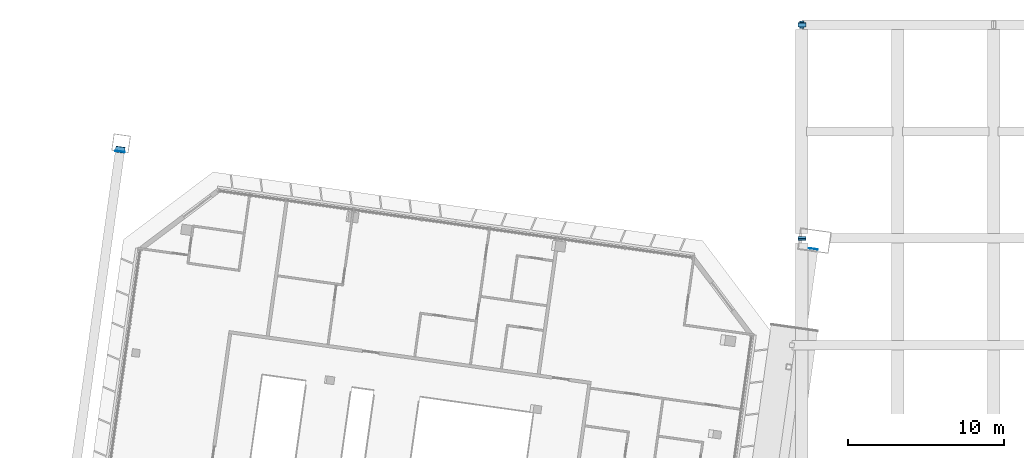
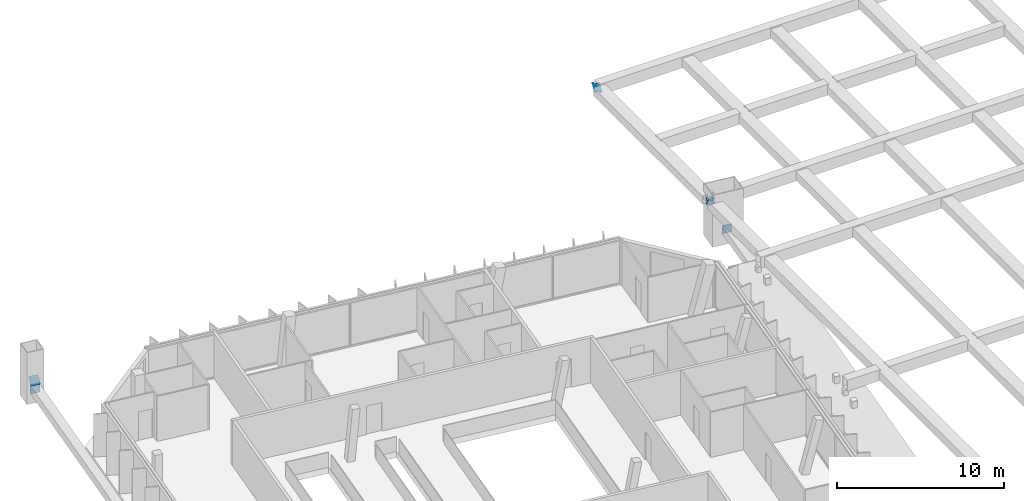
# One storey, part 30 of 36: 7 discrete accessories.
"""IFC4 building model written with IfcOpenShell, lengths in metres."""

from ifc_helpers import new_model, si_unit, direction, frame, origin, origin_2d, place, context, subcontext, project, spatial, rectangle, extrude, material, material_profile, profile_set, type_object, element, save


model = new_model("IFC4")

# Units and contexts
model_context = context("Model", 3, precision=1e-05, world=origin(), true_north=direction((0.0, 1.0)))
body_context = subcontext(model_context, "Body", "Model", "MODEL_VIEW")
ifc_project = project(units=[si_unit("LENGTHUNIT", "METRE"), si_unit("AREAUNIT", "SQUARE_METRE"), si_unit("VOLUMEUNIT", "CUBIC_METRE"), si_unit("PLANEANGLEUNIT", "RADIAN"), si_unit("MASSUNIT", "GRAM", prefix="KILO")], contexts=[model_context])

# Site, building, storey
site_placement = place(None, origin())
site = spatial("IfcSite", under=ifc_project, at=site_placement, CompositionType="ELEMENT")
building_placement = place(site_placement, origin())
building = spatial("IfcBuilding", under=site, at=building_placement, Name="Mirante Cascada Hotel Towers", CompositionType="ELEMENT")
storey_placement = place(building_placement, frame((0.0, 0.0, 254.6)))
storey = spatial("IfcBuildingStorey", under=building, at=storey_placement, Name="L61", CompositionType="ELEMENT", Elevation=254.6)

# Discrete accessories
ifc_material_1 = material(Name="Steel ASTM A572 Gr 50", Category="steel")
ifc_material_profile_1 = material_profile(ifc_material_1, rectangle(XDim=0.5, YDim=0.5, at=origin_2d()), Name="Connection plate 500x500x25 ASTM A572 Gr 50")
ifc_profile_set_1 = profile_set([ifc_material_profile_1], Name="Steel ASTM A572 Gr 50")
discrete_accessory_type_1 = type_object("IfcDiscreteAccessoryType", Name="Connection plate 500x500x25 ASTM A572 Gr 50", PredefinedType="BRACKET", material=ifc_profile_set_1)
for number, where, z_axis, x_axis, name in (
    (1, (-12.2514, 16.7584, 2.8939), (0.0, -0.8726425, 0.4883596), (1.0, 0.0, 0.0), "Connection plate SP-D1"),
    (2, (-12.2514, 16.7366, 2.8939), (0.0, 0.8726425, 0.4883596), (-1.0, 0.0, 0.0), "Connection plate SP-D1"),
    (3, (-12.2514, 30.4251, 2.8939), (0.0, -0.8726425, 0.4883596), (1.0, 0.0, 0.0), "Connection plate SP-D1"),
):
    element("IfcDiscreteAccessory", number, at=place(storey_placement, frame(where, z_axis=z_axis, x_axis=x_axis)), inside=storey, type_object=discrete_accessory_type_1, Name=name, PredefinedType="BRACKET", context=body_context, shape_type="SweptSolid", body=[
        extrude(rectangle(XDim=0.5, YDim=0.5, at=origin_2d()), origin(), (0.0, 0.0, 1.0), 0.025),
    ])
discrete_accessory_placement = place(storey_placement, frame((-12.262, 30.4142, 2.8934), z_axis=(0.8500099, 0.0, 0.5267667), x_axis=(0.0, 1.0, 0.0)))
element("IfcDiscreteAccessory", 4, at=discrete_accessory_placement, inside=storey, type_object=discrete_accessory_type_1, Name="Connection plate SP-ETD", PredefinedType="BRACKET", context=body_context, shape_type="SweptSolid", body=[
    extrude(rectangle(XDim=0.5, YDim=0.5, at=origin_2d()), origin(), (0.0, 0.0, 1.0), 0.0251),
])
ifc_material_2 = material(Name="Steel ASTM A572 Gr 50", Category="steel")
ifc_material_profile_2 = material_profile(ifc_material_2, rectangle(XDim=0.6, YDim=0.6, at=origin_2d()), Name="Connection plate 600x600x25 ASTM A572 Gr 50")
ifc_profile_set_2 = profile_set([ifc_material_profile_2], Name="Steel ASTM A572 Gr 50")
discrete_accessory_type_2 = type_object("IfcDiscreteAccessoryType", Name="Connection plate 600x600x25 ASTM A572 Gr 50", PredefinedType="BRACKET", material=ifc_profile_set_2)
for number, where, z_axis, x_axis, name in (
    (5, (-55.8513, 22.432, 1.5437), (-0.1078268, -0.7747552, 0.622999), (0.9904536, -0.1378466, 0.0), "Connection plate MB-OL61R"),
    (6, (-11.5267, 16.0623, 1.0), (0.1358263, 0.9907327, 0.0), (-0.9907327, 0.1358263, 0.0), "Connection plate NCH"),
    (7, (-55.8706, 22.2944, 1.0), (0.1358263, 0.9907327, 0.0), (-0.9907327, 0.1358263, 0.0), "Connection plate NCH"),
):
    element("IfcDiscreteAccessory", number, at=place(storey_placement, frame(where, z_axis=z_axis, x_axis=x_axis)), inside=storey, type_object=discrete_accessory_type_2, Name=name, PredefinedType="BRACKET", context=body_context, shape_type="SweptSolid", body=[
        extrude(rectangle(XDim=0.6, YDim=0.6, at=origin_2d()), origin(), (0.0, 0.0, 1.0), 0.025),
    ])

save(model, "model.ifc")
